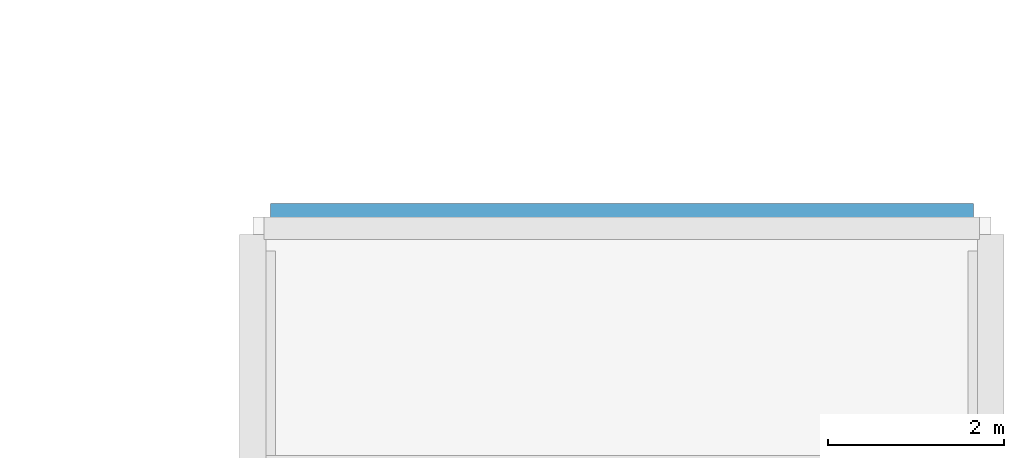
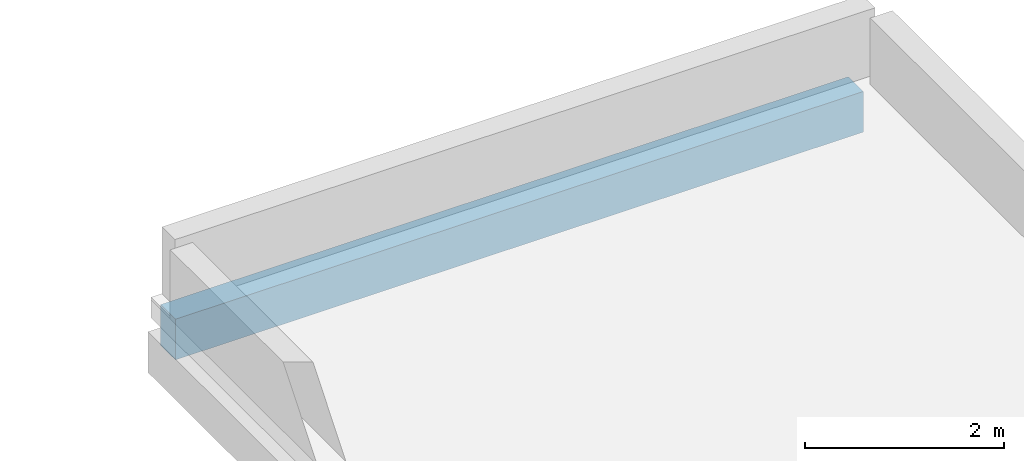
# One storey, part 10 of 22: 1 beam.
"""IFC4 building model written with IfcOpenShell, lengths in metres."""

import ifcopenshell
import ifcopenshell.guid

model = None  # the IFC model being written
_history = None  # IfcOwnerHistory: only IFC2X3 demands one
_inside = {}  # id of a spatial element -> (the spatial element, [elements in it])
_under = {}  # id of a project, library or spatial element -> (it, [spatial elements below it])
_declared = {}  # id of a project -> (the project, [libraries it declares])
_typed = {}  # id of a type object -> (the type object, [elements of that type])
_made_of = {}  # id of a material, layer set ... -> (it, [elements and type objects made of it])


def new_model(schema):
    """Start an empty IFC model of exactly this schema.

    Asked for "IFC4X3", IfcOpenShell would pick the latest addendum, in which some entities
    have other attributes; the version numbers below select the first issue.
    IFC2X3 requires an IfcOwnerHistory on every rooted entity: one is made here for all.
    """
    global model, _history
    if schema == "IFC4X3":
        model = ifcopenshell.file(schema_version=(4, 3, 0, 0))
    else:
        model = ifcopenshell.file(schema=schema)
    _inside.clear()
    _under.clear()
    _declared.clear()
    _typed.clear()
    _made_of.clear()
    _history = None
    if model.schema == "IFC2X3":
        org = make("IfcOrganization", Name="unknown")
        user = make(
            "IfcPersonAndOrganization",
            ThePerson=make("IfcPerson", FamilyName="unknown"),
            TheOrganization=org,
        )
        app = make(
            "IfcApplication",
            ApplicationDeveloper=org,
            Version="unknown",
            ApplicationFullName="unknown",
            ApplicationIdentifier="unknown",
        )
        _history = make(
            "IfcOwnerHistory",
            OwningUser=user,
            OwningApplication=app,
            ChangeAction="ADDED",
            CreationDate=0,
        )
    return model


def make(cls, **values):
    """One entity of the class cls with the attributes given. An attribute that is None is left unset."""
    return model.create_entity(
        cls, **{name: value for name, value in values.items() if value is not None}
    )


def rooted(cls, **values):
    """An entity with a GlobalId (a new one), such as an element, a storey or a relation."""
    return make(cls, GlobalId=ifcopenshell.guid.new(), OwnerHistory=_history, **values)


def si_unit(unit_type, name, prefix=None):
    """IfcSIUnit, for example si_unit("LENGTHUNIT", "METRE", prefix="MILLI")."""
    return make("IfcSIUnit", UnitType=unit_type, Prefix=prefix, Name=name)


def assignment(units):
    """IfcUnitAssignment: the units of a project."""
    return None if units is None else make("IfcUnitAssignment", Units=units)


def point(xyz):
    """IfcCartesianPoint."""
    return None if xyz is None else make("IfcCartesianPoint", Coordinates=xyz)


def direction(xyz):
    """IfcDirection."""
    return None if xyz is None else make("IfcDirection", DirectionRatios=xyz)


def frame(location, z_axis=None, x_axis=None):
    """IfcAxis2Placement3D, a coordinate frame: its origin and axes. An axis left out is left unset."""
    return make(
        "IfcAxis2Placement3D",
        Location=point(location),
        Axis=direction(z_axis),
        RefDirection=direction(x_axis),
    )


def frame_2d(location, x_axis=None):
    """IfcAxis2Placement2D, a coordinate frame in the plane: its origin and x axis."""
    return make(
        "IfcAxis2Placement2D", Location=point(location), RefDirection=direction(x_axis)
    )


def origin():
    """The frame at (0, 0, 0) with its axes left unset."""
    return frame((0.0, 0.0, 0.0))


def origin_2d():
    """The frame at (0, 0) in the plane with its x axis left unset."""
    return frame_2d((0.0, 0.0))


def place(relative_to, where):
    """IfcLocalPlacement: puts the frame where relative to a parent placement (None: the world)."""
    return make(
        "IfcLocalPlacement", PlacementRelTo=relative_to, RelativePlacement=where
    )


def context(
    kind, dimensions, precision=None, world=None, true_north=None, identifier=None
):
    """IfcGeometricRepresentationContext, for example the 3D "Model" context."""
    return make(
        "IfcGeometricRepresentationContext",
        ContextIdentifier=identifier,
        ContextType=kind,
        CoordinateSpaceDimension=dimensions,
        Precision=precision,
        WorldCoordinateSystem=world,
        TrueNorth=true_north,
    )


def subcontext(parent, identifier, kind, view, scale=None):
    """IfcGeometricRepresentationSubContext, for example "Body" below "Model"."""
    return make(
        "IfcGeometricRepresentationSubContext",
        ContextIdentifier=identifier,
        ContextType=kind,
        ParentContext=parent,
        TargetScale=scale,
        TargetView=view,
    )


def project(units=None, contexts=None):
    """IfcProject with its units and contexts."""
    return rooted(
        "IfcProject",
        Name="project",
        RepresentationContexts=contexts,
        UnitsInContext=assignment(units),
    )


def spatial(cls, under=None, at=None, **own):
    """A site, building, storey or space (cls), placed at a placement, below another one or the project."""
    s = rooted(cls, ObjectPlacement=at, **own)
    if under is not None:
        _under.setdefault(under.id(), (under, []))[1].append(s)
    return s


def profile(cls, at=None, kind="AREA", **sizes):
    """A parametric profile (cls). Its sizes go by their IFC names, for example OverallWidth=200.0."""
    return make(cls, ProfileType=kind, Position=at, **sizes)


def rectangle(**sizes):
    """IfcRectangleProfileDef."""
    return profile("IfcRectangleProfileDef", **sizes)


def extrude(swept, where, along, depth):
    """IfcExtrudedAreaSolid: the profile swept, set in the frame where, extruded along a direction by depth."""
    return make(
        "IfcExtrudedAreaSolid",
        SweptArea=swept,
        Position=where,
        ExtrudedDirection=direction(along),
        Depth=depth,
    )


def shape(context_of_items, identifier, shape_type, items):
    """IfcShapeRepresentation: the items that make up one representation, for example the "Body"."""
    return make(
        "IfcShapeRepresentation",
        ContextOfItems=context_of_items,
        RepresentationIdentifier=identifier,
        RepresentationType=shape_type,
        Items=items,
    )


def material(Name=None, Category=None):
    """IfcMaterial."""
    return make("IfcMaterial", Name=Name, Category=Category)


def material_profile(
    of_material, cross_section, Name=None, Category=None, Priority=None
):
    """IfcMaterialProfile: a cross section and its material."""
    return make(
        "IfcMaterialProfile",
        Name=Name,
        Material=of_material,
        Profile=cross_section,
        Priority=Priority,
        Category=Category,
    )


def profile_set(profiles, Name=None, composite=None):
    """IfcMaterialProfileSet."""
    return make(
        "IfcMaterialProfileSet",
        Name=Name,
        MaterialProfiles=profiles,
        CompositeProfile=composite,
    )


def made_of(thing, what):
    """Note that an element or type object is made of a material, layer set ...; save() writes the relation."""
    if what is not None:
        _made_of.setdefault(what.id(), (what, []))[1].append(thing)
    return thing


def type_object(cls, material=None, **own):
    """A type object (cls), such as IfcWallType, which elements share."""
    return made_of(rooted(cls, **own), material)


def element(
    cls,
    number,
    at=None,
    inside=None,
    cuts=None,
    type_object=None,
    material=None,
    context=None,
    identifier="Body",
    shape_type=None,
    held_by="IfcProductDefinitionShape",
    body=None,
    shapes=None,
    **own,
):
    """One element of the class cls, such as IfcWall. Its Tag is "e" and its number.

    at: its placement. inside: the storey or other place that contains it. cuts: it is an
    opening in that element (IfcRelVoidsElement). A single representation is given by context,
    identifier, shape_type and body (its items); several are given by shapes. held_by: the class
    of the entity that holds the representations. save() writes the other relations.
    """
    e = rooted(cls, Tag="e%d" % number, ObjectPlacement=at, **own)
    if body is not None:
        shapes = [shape(context, identifier, shape_type, body)]
    if shapes is not None:
        e.Representation = make(held_by, Representations=shapes)
    if inside is not None:
        _inside.setdefault(inside.id(), (inside, []))[1].append(e)
    if cuts is not None:
        rooted(
            "IfcRelVoidsElement", RelatingBuildingElement=cuts, RelatedOpeningElement=e
        )
    if type_object is not None:
        _typed.setdefault(type_object.id(), (type_object, []))[1].append(e)
    return made_of(e, material)


def aggregate(whole, parts):
    """IfcRelAggregates: a whole, such as a stair, and the parts it consists of."""
    return rooted("IfcRelAggregates", RelatingObject=whole, RelatedObjects=parts)


def save(model, path):
    """Write the relations noted so far, then the file.

    IfcRelAggregates (storeys below a building ...), IfcRelContainedInSpatialStructure (elements
    in a storey), IfcRelDefinesByType, IfcRelAssociatesMaterial and IfcRelDeclares: one each for
    every whole, place, type object, material and project.
    """
    for whole, parts in _under.values():
        aggregate(whole, parts)
    for where, things in _inside.values():
        rooted(
            "IfcRelContainedInSpatialStructure",
            RelatedElements=things,
            RelatingStructure=where,
        )
    for kind, things in _typed.values():
        rooted("IfcRelDefinesByType", RelatedObjects=things, RelatingType=kind)
    for what, things in _made_of.values():
        rooted("IfcRelAssociatesMaterial", RelatedObjects=things, RelatingMaterial=what)
    for by, libraries in _declared.values():
        rooted("IfcRelDeclares", RelatingContext=by, RelatedDefinitions=libraries)
    model.write(path)


model = new_model("IFC4")

# Units and contexts
model_context = context("Model", 3, precision=1e-05, world=origin(), true_north=direction((0.0, 1.0)))
body_context = subcontext(model_context, "Body", "Model", "MODEL_VIEW")
ifc_project = project(units=[si_unit("LENGTHUNIT", "METRE"), si_unit("AREAUNIT", "SQUARE_METRE"), si_unit("VOLUMEUNIT", "CUBIC_METRE"), si_unit("PLANEANGLEUNIT", "RADIAN"), si_unit("MASSUNIT", "GRAM", prefix="KILO")], contexts=[model_context])

# Site, building, storey
site_placement = place(None, origin())
site = spatial("IfcSite", under=ifc_project, at=site_placement, CompositionType="ELEMENT")
building_placement = place(site_placement, origin())
building = spatial("IfcBuilding", under=site, at=building_placement, Name="Vireocrest Preparatory School", CompositionType="ELEMENT")
storey_placement = place(building_placement, frame((0.0, 0.0, 25.800048828125)))
storey = spatial("IfcBuildingStorey", under=building, at=storey_placement, Name="RF", CompositionType="ELEMENT", Elevation=25.800048828125)

# Beam
ifc_material = material(Name="Concrete 40 MPa", Category="concrete")
ifc_material_profile = material_profile(ifc_material, rectangle(XDim=0.300048828125, YDim=0.5, at=origin_2d()), Name="RC 300x500")
ifc_profile_set = profile_set([ifc_material_profile], Name="Concrete 40 MPa")
beam_type = type_object("IfcBeamType", Name="RC Roof Edge Beam 300x500", PredefinedType="BEAM", material=ifc_profile_set)
beam_placement = place(storey_placement, frame((101.0, 60.60009765625, -0.469970703125), z_axis=(1.0, 0.0, 0.0), x_axis=(0.0, 1.0, 0.0)))
element("IfcBeam", 1, at=beam_placement, inside=storey, type_object=beam_type, Name="Primary Girder B01 RF-1689", PredefinedType="BEAM", context=body_context, shape_type="SweptSolid", body=[
    extrude(rectangle(XDim=0.300048828125, YDim=0.5, at=origin_2d()), origin(), (0.0, 0.0, 1.0), 8.0),
])

save(model, "model.ifc")
